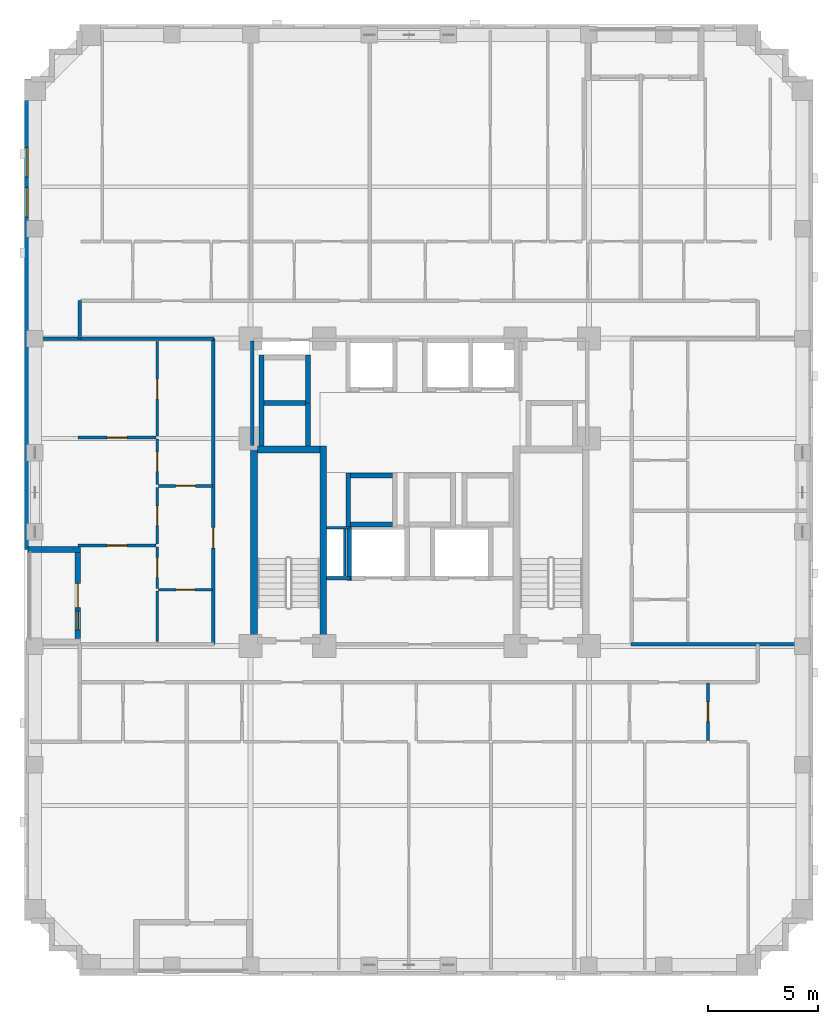
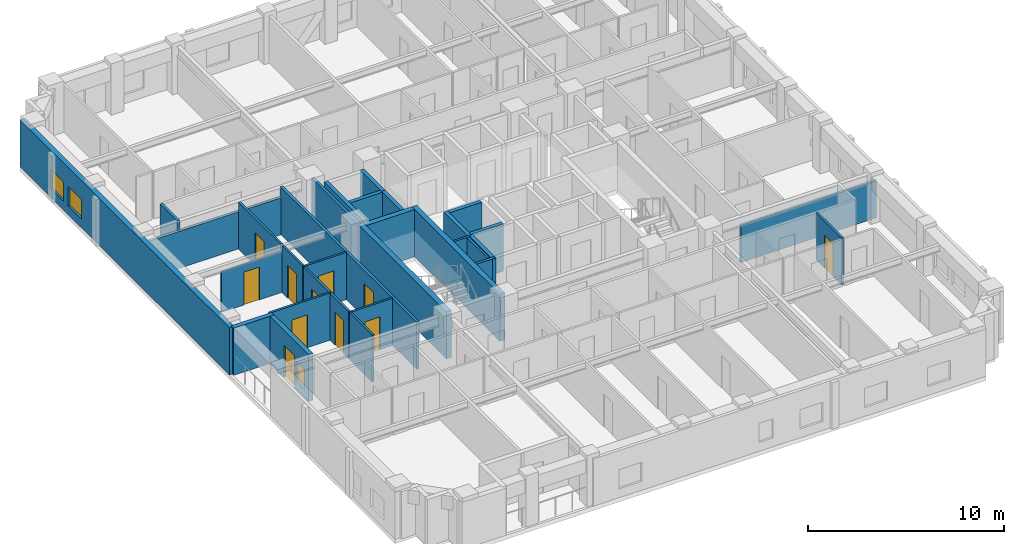
# One storey, part 4 of 12: 32 walls, 11 doors, 3 windows, 14 openings.
"""IFC4 building model written with IfcOpenShell, lengths in metres."""

from ifc_helpers import new_model, si_unit, derived_unit, direction, frame, frame_2d, origin, place, context, subcontext, project, spatial, rectangle, extrude, material, layer, layer_set, type_object, element, fill, save


model = new_model("IFC4")

# Units and contexts
model_context = context("Model", 3, precision=1e-05, world=origin(), true_north=direction((0.0, 1.0)))
body_context = subcontext(model_context, "Body", "Model", "MODEL_VIEW")
ifc_project = project(units=[si_unit("LENGTHUNIT", "METRE"), si_unit("AREAUNIT", "SQUARE_METRE"), si_unit("VOLUMEUNIT", "CUBIC_METRE"), si_unit("PLANEANGLEUNIT", "RADIAN"), si_unit("MASSUNIT", "GRAM", prefix="KILO"), derived_unit("THERMALTRANSMITTANCEUNIT", [(si_unit("MASSUNIT", "GRAM", prefix="KILO"), 1), (si_unit("TIMEUNIT", "SECOND"), -3), (si_unit("THERMODYNAMICTEMPERATUREUNIT", "KELVIN"), -1)])], contexts=[model_context])

# Site, building, storey
site_placement = place(None, origin())
site = spatial("IfcSite", under=ifc_project, at=site_placement, CompositionType="ELEMENT")
building_placement = place(site_placement, origin())
building = spatial("IfcBuilding", under=site, at=building_placement, Name="Korrvale Station Residences", CompositionType="ELEMENT")
storey_placement = place(building_placement, frame((0.0, 0.0, 103.89990234375)))
storey = spatial("IfcBuildingStorey", under=building, at=storey_placement, Name="L29", CompositionType="ELEMENT", Elevation=103.89990234375)

# Walls
ifc_material_1 = material(Name="Concrete C60/75", Category="concrete")
ifc_layer_1 = layer(ifc_material_1, 0.300048828125, Name="Concrete C60/75")
ifc_layer_set_1 = layer_set([ifc_layer_1], Name="Concrete C60/75")
wall_type_1 = type_object("IfcWallType", Name="WAL-CORE-300-C60", PredefinedType="SHEAR", material=ifc_layer_set_1)
for number, where, z_axis, x_axis, name in (
    (1, (17.949951171875, 15.10009765625, 0.0), (0.0, 0.0, 1.0), (0.0, 1.0, 0.0), "L29 ST-1 Core Shear Wall West"),
    (2, (21.10009765625, 15.10009765625, 0.0), (0.0, 0.0, 1.0), (0.0, 1.0, 0.0), "L29 ST-1 Core Shear Wall East"),
):
    element("IfcWall", number, at=place(storey_placement, frame(where, z_axis=z_axis, x_axis=x_axis)), inside=storey, type_object=wall_type_1, Name=name, PredefinedType="SHEAR", context=body_context, shape_type="SweptSolid", body=[
        extrude(rectangle(XDim=9.0, YDim=0.300048828125, at=frame_2d((4.5, 0.0))), origin(), (0.0, 0.0, 1.0), 2.940185546875),
    ])
wall_1_placement = place(storey_placement, frame((18.10009765625, 23.949951171875, 0.0), z_axis=(0.0, 0.0, 1.0), x_axis=(1.0, 0.0, 0.0)))
element("IfcWall", 3, at=wall_1_placement, inside=storey, type_object=wall_type_1, Name="L29 ST-1 Core Shear Wall North", PredefinedType="SHEAR", context=body_context, shape_type="SweptSolid", body=[
    extrude(rectangle(XDim=2.849853515625, YDim=0.300048828125, at=frame_2d((1.4248046875, 0.0))), origin(), (0.0, 0.0, 1.0), 2.940185546875),
])

# Wall, openings, door, window
ifc_material_2 = material(Name="Precast concrete C45/55", Category="concrete")
ifc_layer_2 = layer(ifc_material_2, 0.260009765625, Name="Precast concrete C45/55")
ifc_layer_set_2 = layer_set([ifc_layer_2], Name="Precast concrete C45/55")
wall_type_2 = type_object("IfcWallType", Name="WAL-EXT-LOG260", PredefinedType="SOLIDWALL", material=ifc_layer_set_2)
wall_2_placement = place(storey_placement, frame((9.929931640625, 15.333984375, 0.0), z_axis=(0.0, 0.0, 1.0), x_axis=(0.0, 1.0, 0.0)))
wall_2 = element("IfcWall", 4, at=wall_2_placement, inside=storey, type_object=wall_type_2, Name="L29 Recessed Loggia Wall BAL-L29-W1-B", PredefinedType="SOLIDWALL", context=body_context, shape_type="SweptSolid", body=[
    extrude(rectangle(XDim=3.93212890625, YDim=0.260009765625, at=frame_2d((1.966064453125, 0.0))), origin(), (0.0, 0.0, 1.0), 2.940185546875),
])
opening_1_placement = place(wall_2_placement, frame((1.416015625, 0.0, 0.0)))
opening_1 = element("IfcOpeningElement", 5, at=opening_1_placement, cuts=wall_2, Name="Opening BD-01", PredefinedType="OPENING", context=body_context, shape_type="SweptSolid", body=[
    extrude(rectangle(XDim=1.10009765625, YDim=2.0, at=frame_2d((0.550048828125, 1.0))), frame((0.0, 0.14013671875, 0.0), z_axis=(0.0, -1.0, 0.0), x_axis=(1.0, 0.0, 0.0)), (0.0, 0.0, 1.0), 0.280029296875),
])
opening_2_placement = place(wall_2_placement, frame((0.406005859375, 0.0, 0.550048828125)))
opening_2 = element("IfcOpeningElement", 6, at=opening_2_placement, cuts=wall_2, Name="Opening W-11", PredefinedType="OPENING", context=body_context, shape_type="SweptSolid", body=[
    extrude(rectangle(XDim=0.85009765625, YDim=1.199951171875, at=frame_2d((0.425048828125, 0.60009765625))), frame((0.0, 0.14013671875, 0.0), z_axis=(0.0, -1.0, 0.0), x_axis=(1.0, 0.0, 0.0)), (0.0, 0.0, 1.0), 0.280029296875),
])
ifc_material_3 = material(Name="Exterior thermally broken aluminium glazed balcony door", Category="aluminium")
door_type_1 = type_object("IfcDoorType", Name="DR-EXT-BAL", OperationType="NOTDEFINED", PredefinedType="DOOR", material=ifc_material_3)
door_1_placement = place(opening_1_placement, origin())
door_1 = element("IfcDoor", 7, at=door_1_placement, inside=storey, type_object=door_type_1, Name="L29 Loggia Balcony Door BAL-L29-W1", OperationType="SINGLE_SWING_LEFT", OverallHeight=2.0, OverallWidth=1.10009765625, PredefinedType="DOOR", context=body_context, shape_type="SweptSolid", body=[
    extrude(rectangle(XDim=1.10009765625, YDim=2.0, at=frame_2d((0.550048828125, 1.0))), frame((0.0, 0.02490234375, 0.0), z_axis=(0.0, -1.0, 0.0), x_axis=(1.0, 0.0, 0.0)), (0.0, 0.0, 1.0), 0.050048828125),
])
fill(opening_1, door_1)
ifc_material_4 = material(Name="Thermally broken aluminium frame with triple low-e glazing", Category="aluminium")
window_type_1 = type_object("IfcWindowType", Name="WIN-W11", PartitioningType="SINGLE_PANEL", PredefinedType="WINDOW", material=ifc_material_4)
window_1_placement = place(opening_2_placement, origin())
window_1 = element("IfcWindow", 8, at=window_1_placement, inside=storey, type_object=window_type_1, Name="L29 Punched Window 20", OverallHeight=1.199951171875, OverallWidth=0.85009765625, PartitioningType="SINGLE_PANEL", PredefinedType="WINDOW", context=body_context, shape_type="SweptSolid", body=[
    extrude(rectangle(XDim=0.85009765625, YDim=1.199951171875, at=frame_2d((0.425048828125, 0.60009765625))), frame((0.0, 0.030029296875, 0.0), z_axis=(0.0, -1.0, 0.0), x_axis=(1.0, 0.0, 0.0)), (0.0, 0.0, 1.0), 0.06005859375),
])
fill(opening_2, window_1)

# Wall
wall_3_placement = place(storey_placement, frame((10.06005859375, 19.39990234375, 0.0), z_axis=(0.0, 0.0, 1.0), x_axis=(-1.0, 0.0, 0.0)))
element("IfcWall", 9, at=wall_3_placement, inside=storey, type_object=wall_type_2, Name="L29 Recessed Loggia Wall BAL-L29-W1-R", PredefinedType="SOLIDWALL", context=body_context, shape_type="SweptSolid", body=[
    extrude(rectangle(XDim=2.400146484375, YDim=0.260009765625, at=frame_2d((1.2001953125, 0.0))), origin(), (0.0, 0.0, 1.0), 2.940185546875),
])

# Wall, openings, windows
ifc_layer_3 = layer(ifc_material_2, 0.300048828125, Name="Precast concrete C45/55")
ifc_layer_set_3 = layer_set([ifc_layer_3], Name="Precast concrete C45/55")
wall_type_3 = type_object("IfcWallType", Name="WAL-EXT-PC300", PredefinedType="SOLIDWALL", material=ifc_layer_set_3)
wall_4_placement = place(storey_placement, frame((7.64990234375, 19.39990234375, 0.0), z_axis=(0.0, 0.0, 1.0), x_axis=(0.0, 1.0, 0.0)))
wall_4 = element("IfcWall", 10, at=wall_4_placement, inside=storey, type_object=wall_type_3, Name="L29 West Exterior Precast Wall 2", PredefinedType="SOLIDWALL", context=body_context, shape_type="SweptSolid", body=[
    extrude(rectangle(XDim=21.400146484375, YDim=0.300048828125, at=frame_2d((10.7001953125, 0.0))), origin(), (0.0, 0.0, 1.0), 2.940185546875),
])
opening_3_placement = place(wall_4_placement, frame((16.95703125, 0.0, 0.550048828125)))
opening_3 = element("IfcOpeningElement", 11, at=opening_3_placement, cuts=wall_4, Name="Opening W-10", PredefinedType="OPENING", context=body_context, shape_type="SweptSolid", body=[
    extrude(rectangle(XDim=1.35009765625, YDim=1.199951171875, at=frame_2d((0.675048828125, 0.60009765625))), frame((0.0, 0.16015625, 0.0), z_axis=(0.0, -1.0, 0.0), x_axis=(1.0, 0.0, 0.0)), (0.0, 0.0, 1.0), 0.320068359375),
])
opening_4_placement = place(wall_4_placement, frame((15.135009765625, 0.0, 0.550048828125)))
opening_4 = element("IfcOpeningElement", 12, at=opening_4_placement, cuts=wall_4, Name="Opening W-10", PredefinedType="OPENING", context=body_context, shape_type="SweptSolid", body=[
    extrude(rectangle(XDim=1.35009765625, YDim=1.199951171875, at=frame_2d((0.675048828125, 0.60009765625))), frame((0.0, 0.16015625, 0.0), z_axis=(0.0, -1.0, 0.0), x_axis=(1.0, 0.0, 0.0)), (0.0, 0.0, 1.0), 0.320068359375),
])
window_type_2 = type_object("IfcWindowType", Name="WIN-W10", PartitioningType="SINGLE_PANEL", PredefinedType="WINDOW", material=ifc_material_4)
window_2_placement = place(opening_3_placement, origin())
window_2 = element("IfcWindow", 13, at=window_2_placement, inside=storey, type_object=window_type_2, Name="L29 Punched Window 10", OverallHeight=1.199951171875, OverallWidth=1.35009765625, PartitioningType="SINGLE_PANEL", PredefinedType="WINDOW", context=body_context, shape_type="SweptSolid", body=[
    extrude(rectangle(XDim=1.35009765625, YDim=1.199951171875, at=frame_2d((0.675048828125, 0.60009765625))), frame((0.0, 0.030029296875, 0.0), z_axis=(0.0, -1.0, 0.0), x_axis=(1.0, 0.0, 0.0)), (0.0, 0.0, 1.0), 0.06005859375),
])
fill(opening_3, window_2)
window_3_placement = place(opening_4_placement, origin())
window_3 = element("IfcWindow", 14, at=window_3_placement, inside=storey, type_object=window_type_2, Name="L29 Punched Window 11", OverallHeight=1.199951171875, OverallWidth=1.35009765625, PartitioningType="SINGLE_PANEL", PredefinedType="WINDOW", context=body_context, shape_type="SweptSolid", body=[
    extrude(rectangle(XDim=1.35009765625, YDim=1.199951171875, at=frame_2d((0.675048828125, 0.60009765625))), frame((0.0, 0.030029296875, 0.0), z_axis=(0.0, -1.0, 0.0), x_axis=(1.0, 0.0, 0.0)), (0.0, 0.0, 1.0), 0.06005859375),
])
fill(opening_4, window_3)

# Walls
ifc_material_5 = material(Name="Acoustic steel-stud gypsum board partition", Category="steel")
ifc_layer_4 = layer(ifc_material_5, 0.1201171875, Name="Acoustic steel-stud gypsum board partition")
ifc_layer_set_4 = layer_set([ifc_layer_4], Name="Acoustic steel-stud gypsum board partition")
wall_type_4 = type_object("IfcWallType", Name="WAL-PART-125", PredefinedType="PARTITIONING", material=ifc_layer_set_4)
wall_5_placement = place(storey_placement, frame((22.080078125, 18.199951171875, 0.0), z_axis=(0.0, 0.0, 1.0), x_axis=(0.0, 1.0, 0.0)))
element("IfcWall", 15, at=wall_5_placement, inside=storey, type_object=wall_type_4, Name="L29 Core Partition CW-RSWT", PredefinedType="PARTITIONING", context=body_context, shape_type="SweptSolid", body=[
    extrude(rectangle(XDim=2.1201171875, YDim=0.1201171875, at=frame_2d((1.06005859375, 0.0))), origin(), (0.0, 0.0, 1.0), 2.940185546875),
])
wall_6_placement = place(storey_placement, frame((22.280029296875, 20.3798828125, 0.0), z_axis=(0.0, 0.0, 1.0), x_axis=(-1.0, 0.0, 0.0)))
element("IfcWall", 16, at=wall_6_placement, inside=storey, type_object=wall_type_4, Name="L29 Core Partition CW-RSWT-N", PredefinedType="PARTITIONING", context=body_context, shape_type="SweptSolid", body=[
    extrude(rectangle(XDim=1.02001953125, YDim=0.1201171875, at=frame_2d((0.510009765625, 0.0))), origin(), (0.0, 0.0, 1.0), 2.940185546875),
])

# Wall, opening, door
wall_7_placement = place(storey_placement, frame((38.615966796875, 10.7099609375, 0.0), z_axis=(0.0, 0.0, 1.0), x_axis=(0.0, 1.0, 0.0)))
wall_7 = element("IfcWall", 17, at=wall_7_placement, inside=storey, type_object=wall_type_4, Name="L29 Suite Partition U03-V12", PredefinedType="PARTITIONING", context=body_context, shape_type="SweptSolid", body=[
    extrude(rectangle(XDim=2.60009765625, YDim=0.1201171875, at=frame_2d((1.300048828125, 0.0))), origin(), (0.0, 0.0, 1.0), 2.940185546875),
])
opening_5_placement = place(wall_7_placement, frame((0.85009765625, 0.0, 0.0)))
opening_5 = element("IfcOpeningElement", 18, at=opening_5_placement, cuts=wall_7, Name="Opening DI-900", PredefinedType="OPENING", context=body_context, shape_type="SweptSolid", body=[
    extrude(rectangle(XDim=0.89990234375, YDim=2.050048828125, at=frame_2d((0.449951171875, 1.02490234375))), frame((0.0, 0.070068359375, 0.0), z_axis=(0.0, -1.0, 0.0), x_axis=(1.0, 0.0, 0.0)), (0.0, 0.0, 1.0), 0.14013671875),
])
ifc_material_6 = material(Name="Painted solid-core timber interior room door", Category="wood")
door_type_2 = type_object("IfcDoorType", Name="DR-INT-900", OperationType="NOTDEFINED", PredefinedType="DOOR", material=ifc_material_6)
door_2_placement = place(opening_5_placement, origin())
door_2 = element("IfcDoor", 19, at=door_2_placement, inside=storey, type_object=door_type_2, Name="L29 Studio Apartment L29-U03 Kitchen Door", OperationType="SINGLE_SWING_LEFT", OverallHeight=2.050048828125, OverallWidth=0.89990234375, PredefinedType="DOOR", context=body_context, shape_type="SweptSolid", body=[
    extrude(rectangle(XDim=0.89990234375, YDim=2.050048828125, at=frame_2d((0.449951171875, 1.02490234375))), frame((0.0, 0.02490234375, 0.0), z_axis=(0.0, -1.0, 0.0), x_axis=(1.0, 0.0, 0.0)), (0.0, 0.0, 1.0), 0.050048828125),
])
fill(opening_5, door_2)

wall_8_placement = place(storey_placement, frame((13.610107421875, 22.2900390625, 0.0), z_axis=(0.0, 0.0, 1.0), x_axis=(1.0, 0.0, 0.0)))
wall_8 = element("IfcWall", 20, at=wall_8_placement, inside=storey, type_object=wall_type_4, Name="L29 Suite Partition U08-H02", PredefinedType="PARTITIONING", context=body_context, shape_type="SweptSolid", body=[
    extrude(rectangle(XDim=2.449951171875, YDim=0.1201171875, at=frame_2d((1.22509765625, 0.0))), origin(), (0.0, 0.0, 1.0), 2.940185546875),
])
opening_6_placement = place(wall_8_placement, frame((0.77490234375, 0.0, 0.0)))
opening_6 = element("IfcOpeningElement", 21, at=opening_6_placement, cuts=wall_8, Name="Opening DI-900", PredefinedType="OPENING", context=body_context, shape_type="SweptSolid", body=[
    extrude(rectangle(XDim=0.89990234375, YDim=2.050048828125, at=frame_2d((0.449951171875, 1.02490234375))), frame((0.0, 0.070068359375, 0.0), z_axis=(0.0, -1.0, 0.0), x_axis=(1.0, 0.0, 0.0)), (0.0, 0.0, 1.0), 0.14013671875),
])
door_3_placement = place(opening_6_placement, origin())
door_3 = element("IfcDoor", 22, at=door_3_placement, inside=storey, type_object=door_type_2, Name="L29 Apartment 2BR L29-U08 Wardrobe Storage Room Door", OperationType="SINGLE_SWING_LEFT", OverallHeight=2.050048828125, OverallWidth=0.89990234375, PredefinedType="DOOR", context=body_context, shape_type="SweptSolid", body=[
    extrude(rectangle(XDim=0.89990234375, YDim=2.050048828125, at=frame_2d((0.449951171875, 1.02490234375))), frame((0.0, 0.02490234375, 0.0), z_axis=(0.0, -1.0, 0.0), x_axis=(1.0, 0.0, 0.0)), (0.0, 0.0, 1.0), 0.050048828125),
])
fill(opening_6, door_3)

wall_9_placement = place(storey_placement, frame((13.550048828125, 22.35009765625, 0.0), z_axis=(0.0, 0.0, 1.0), x_axis=(0.0, 1.0, 0.0)))
wall_9 = element("IfcWall", 23, at=wall_9_placement, inside=storey, type_object=wall_type_4, Name="L29 Suite Partition U08-V04", PredefinedType="PARTITIONING", context=body_context, shape_type="SweptSolid", body=[
    extrude(rectangle(XDim=2.081787109375, YDim=0.1201171875, at=frame_2d((1.041015625, 0.0))), origin(), (0.0, 0.0, 1.0), 2.940185546875),
])
opening_7_placement = place(wall_9_placement, frame((0.591064453125, 0.0, 0.0)))
opening_7 = element("IfcOpeningElement", 24, at=opening_7_placement, cuts=wall_9, Name="Opening DI-900", PredefinedType="OPENING", context=body_context, shape_type="SweptSolid", body=[
    extrude(rectangle(XDim=0.89990234375, YDim=2.050048828125, at=frame_2d((0.449951171875, 1.02490234375))), frame((0.0, 0.070068359375, 0.0), z_axis=(0.0, -1.0, 0.0), x_axis=(1.0, 0.0, 0.0)), (0.0, 0.0, 1.0), 0.14013671875),
])
door_4_placement = place(opening_7_placement, origin())
door_4 = element("IfcDoor", 25, at=door_4_placement, inside=storey, type_object=door_type_2, Name="L29 Apartment 2BR L29-U08 Wardrobe Storage Room Door", OperationType="SINGLE_SWING_RIGHT", OverallHeight=2.050048828125, OverallWidth=0.89990234375, PredefinedType="DOOR", context=body_context, shape_type="SweptSolid", body=[
    extrude(rectangle(XDim=0.89990234375, YDim=2.050048828125, at=frame_2d((0.449951171875, 1.02490234375))), frame((0.0, 0.02490234375, 0.0), z_axis=(0.0, -1.0, 0.0), x_axis=(1.0, 0.0, 0.0)), (0.0, 0.0, 1.0), 0.050048828125),
])
fill(opening_7, door_4)

wall_10_placement = place(storey_placement, frame((13.550048828125, 24.552001953125, 0.0), z_axis=(0.0, 0.0, 1.0), x_axis=(0.0, 1.0, 0.0)))
wall_10 = element("IfcWall", 26, at=wall_10_placement, inside=storey, type_object=wall_type_4, Name="L29 Suite Partition U08-V05", PredefinedType="PARTITIONING", context=body_context, shape_type="SweptSolid", body=[
    extrude(rectangle(XDim=4.30810546875, YDim=0.1201171875, at=frame_2d((2.154052734375, 0.0))), origin(), (0.0, 0.0, 1.0), 2.940185546875),
])
opening_8_placement = place(wall_10_placement, frame((1.7041015625, 0.0, 0.0)))
opening_8 = element("IfcOpeningElement", 27, at=opening_8_placement, cuts=wall_10, Name="Opening DI-900", PredefinedType="OPENING", context=body_context, shape_type="SweptSolid", body=[
    extrude(rectangle(XDim=0.89990234375, YDim=2.050048828125, at=frame_2d((0.449951171875, 1.02490234375))), frame((0.0, 0.070068359375, 0.0), z_axis=(0.0, -1.0, 0.0), x_axis=(1.0, 0.0, 0.0)), (0.0, 0.0, 1.0), 0.14013671875),
])
door_5_placement = place(opening_8_placement, origin())
door_5 = element("IfcDoor", 28, at=door_5_placement, inside=storey, type_object=door_type_2, Name="L29 Apartment 2BR L29-U08 Wardrobe Storage Room Door", OperationType="SINGLE_SWING_LEFT", OverallHeight=2.050048828125, OverallWidth=0.89990234375, PredefinedType="DOOR", context=body_context, shape_type="SweptSolid", body=[
    extrude(rectangle(XDim=0.89990234375, YDim=2.050048828125, at=frame_2d((0.449951171875, 1.02490234375))), frame((0.0, 0.02490234375, 0.0), z_axis=(0.0, -1.0, 0.0), x_axis=(1.0, 0.0, 0.0)), (0.0, 0.0, 1.0), 0.050048828125),
])
fill(opening_8, door_5)

wall_11_placement = place(storey_placement, frame((13.610107421875, 17.570068359375, 0.0), z_axis=(0.0, 0.0, 1.0), x_axis=(1.0, 0.0, 0.0)))
wall_11 = element("IfcWall", 29, at=wall_11_placement, inside=storey, type_object=wall_type_4, Name="L29 Suite Partition U08-H12", PredefinedType="PARTITIONING", context=body_context, shape_type="SweptSolid", body=[
    extrude(rectangle(XDim=2.449951171875, YDim=0.1201171875, at=frame_2d((1.22509765625, 0.0))), origin(), (0.0, 0.0, 1.0), 2.940185546875),
])
opening_9_placement = place(wall_11_placement, frame((0.794921875, 0.0, 0.0)))
opening_9 = element("IfcOpeningElement", 30, at=opening_9_placement, cuts=wall_11, Name="Opening DB-860", PredefinedType="OPENING", context=body_context, shape_type="SweptSolid", body=[
    extrude(rectangle(XDim=0.860107421875, YDim=2.050048828125, at=frame_2d((0.43017578125, 1.02490234375))), frame((0.0, 0.070068359375, 0.0), z_axis=(0.0, -1.0, 0.0), x_axis=(1.0, 0.0, 0.0)), (0.0, 0.0, 1.0), 0.14013671875),
])
ifc_material_7 = material(Name="Moisture-resistant solid-core bathroom door", Category="timber")
door_type_3 = type_object("IfcDoorType", Name="DR-BATH-860", OperationType="NOTDEFINED", PredefinedType="DOOR", material=ifc_material_7)
door_6_placement = place(opening_9_placement, origin())
door_6 = element("IfcDoor", 31, at=door_6_placement, inside=storey, type_object=door_type_3, Name="L29 Apartment 2BR L29-U08 Bathroom Door", OperationType="SINGLE_SWING_RIGHT", OverallHeight=2.050048828125, OverallWidth=0.860107421875, PredefinedType="DOOR", context=body_context, shape_type="SweptSolid", body=[
    extrude(rectangle(XDim=0.860107421875, YDim=2.050048828125, at=frame_2d((0.43017578125, 1.02490234375))), frame((0.0, 0.02490234375, 0.0), z_axis=(0.0, -1.0, 0.0), x_axis=(1.0, 0.0, 0.0)), (0.0, 0.0, 1.0), 0.050048828125),
])
fill(opening_9, door_6)

# Wall
wall_12_placement = place(storey_placement, frame((13.550048828125, 15.2099609375, 0.0), z_axis=(0.0, 0.0, 1.0), x_axis=(0.0, 1.0, 0.0)))
element("IfcWall", 32, at=wall_12_placement, inside=storey, type_object=wall_type_4, Name="L29 Suite Partition U08-V13", PredefinedType="PARTITIONING", context=body_context, shape_type="SweptSolid", body=[
    extrude(rectangle(XDim=2.300048828125, YDim=0.1201171875, at=frame_2d((1.14990234375, 0.0))), origin(), (0.0, 0.0, 1.0), 2.940185546875),
])

# Wall, opening, door
wall_13_placement = place(storey_placement, frame((13.550048828125, 17.6298828125, 0.0), z_axis=(0.0, 0.0, 1.0), x_axis=(0.0, 1.0, 0.0)))
wall_13 = element("IfcWall", 33, at=wall_13_placement, inside=storey, type_object=wall_type_4, Name="L29 Suite Partition U08-V23", PredefinedType="PARTITIONING", context=body_context, shape_type="SweptSolid", body=[
    extrude(rectangle(XDim=1.88818359375, YDim=0.1201171875, at=frame_2d((0.944091796875, 0.0))), origin(), (0.0, 0.0, 1.0), 2.940185546875),
])
opening_10_placement = place(wall_13_placement, frame((0.493896484375, 0.0, 0.0)))
opening_10 = element("IfcOpeningElement", 34, at=opening_10_placement, cuts=wall_13, Name="Opening DI-900", PredefinedType="OPENING", context=body_context, shape_type="SweptSolid", body=[
    extrude(rectangle(XDim=0.89990234375, YDim=2.050048828125, at=frame_2d((0.449951171875, 1.02490234375))), frame((0.0, 0.070068359375, 0.0), z_axis=(0.0, -1.0, 0.0), x_axis=(1.0, 0.0, 0.0)), (0.0, 0.0, 1.0), 0.14013671875),
])
door_7_placement = place(opening_10_placement, origin())
door_7 = element("IfcDoor", 35, at=door_7_placement, inside=storey, type_object=door_type_2, Name="L29 Apartment 2BR L29-U08 Kitchen Door", OperationType="SINGLE_SWING_LEFT", OverallHeight=2.050048828125, OverallWidth=0.89990234375, PredefinedType="DOOR", context=body_context, shape_type="SweptSolid", body=[
    extrude(rectangle(XDim=0.89990234375, YDim=2.050048828125, at=frame_2d((0.449951171875, 1.02490234375))), frame((0.0, 0.02490234375, 0.0), z_axis=(0.0, -1.0, 0.0), x_axis=(1.0, 0.0, 0.0)), (0.0, 0.0, 1.0), 0.050048828125),
])
fill(opening_10, door_7)

wall_14_placement = place(storey_placement, frame((13.550048828125, 19.637939453125, 0.0), z_axis=(0.0, 0.0, 1.0), x_axis=(0.0, 1.0, 0.0)))
wall_14 = element("IfcWall", 36, at=wall_14_placement, inside=storey, type_object=wall_type_4, Name="L29 Suite Partition U08-V24", PredefinedType="PARTITIONING", context=body_context, shape_type="SweptSolid", body=[
    extrude(rectangle(XDim=2.592041015625, YDim=0.1201171875, at=frame_2d((1.2958984375, 0.0))), origin(), (0.0, 0.0, 1.0), 2.940185546875),
])
opening_11_placement = place(wall_14_placement, frame((0.845947265625, 0.0, 0.0)))
opening_11 = element("IfcOpeningElement", 37, at=opening_11_placement, cuts=wall_14, Name="Opening DI-900", PredefinedType="OPENING", context=body_context, shape_type="SweptSolid", body=[
    extrude(rectangle(XDim=0.89990234375, YDim=2.050048828125, at=frame_2d((0.449951171875, 1.02490234375))), frame((0.0, 0.070068359375, 0.0), z_axis=(0.0, -1.0, 0.0), x_axis=(1.0, 0.0, 0.0)), (0.0, 0.0, 1.0), 0.14013671875),
])
door_8_placement = place(opening_11_placement, origin())
door_8 = element("IfcDoor", 38, at=door_8_placement, inside=storey, type_object=door_type_2, Name="L29 Apartment 2BR L29-U08 Kitchen Door", OperationType="SINGLE_SWING_RIGHT", OverallHeight=2.050048828125, OverallWidth=0.89990234375, PredefinedType="DOOR", context=body_context, shape_type="SweptSolid", body=[
    extrude(rectangle(XDim=0.89990234375, YDim=2.050048828125, at=frame_2d((0.449951171875, 1.02490234375))), frame((0.0, 0.02490234375, 0.0), z_axis=(0.0, -1.0, 0.0), x_axis=(1.0, 0.0, 0.0)), (0.0, 0.0, 1.0), 0.050048828125),
])
fill(opening_11, door_8)

wall_15_placement = place(storey_placement, frame((9.929931640625, 19.577880859375, 0.0), z_axis=(0.0, 0.0, 1.0), x_axis=(1.0, 0.0, 0.0)))
wall_15 = element("IfcWall", 39, at=wall_15_placement, inside=storey, type_object=wall_type_4, Name="L29 Suite Partition U08-H34", PredefinedType="PARTITIONING", context=body_context, shape_type="SweptSolid", body=[
    extrude(rectangle(XDim=3.56005859375, YDim=0.1201171875, at=frame_2d((1.780029296875, 0.0))), origin(), (0.0, 0.0, 1.0), 2.940185546875),
])
opening_12_placement = place(wall_15_placement, frame((1.330078125, 0.0, 0.0)))
opening_12 = element("IfcOpeningElement", 40, at=opening_12_placement, cuts=wall_15, Name="Opening DI-900", PredefinedType="OPENING", context=body_context, shape_type="SweptSolid", body=[
    extrude(rectangle(XDim=0.89990234375, YDim=2.050048828125, at=frame_2d((0.449951171875, 1.02490234375))), frame((0.0, 0.070068359375, 0.0), z_axis=(0.0, -1.0, 0.0), x_axis=(1.0, 0.0, 0.0)), (0.0, 0.0, 1.0), 0.14013671875),
])
door_9_placement = place(opening_12_placement, origin())
door_9 = element("IfcDoor", 41, at=door_9_placement, inside=storey, type_object=door_type_2, Name="L29 Apartment 2BR L29-U08 Bedroom 1 Door", OperationType="SINGLE_SWING_LEFT", OverallHeight=2.050048828125, OverallWidth=0.89990234375, PredefinedType="DOOR", context=body_context, shape_type="SweptSolid", body=[
    extrude(rectangle(XDim=0.89990234375, YDim=2.050048828125, at=frame_2d((0.449951171875, 1.02490234375))), frame((0.0, 0.02490234375, 0.0), z_axis=(0.0, -1.0, 0.0), x_axis=(1.0, 0.0, 0.0)), (0.0, 0.0, 1.0), 0.050048828125),
])
fill(opening_12, door_9)

wall_16_placement = place(storey_placement, frame((9.929931640625, 24.491943359375, 0.0), z_axis=(0.0, 0.0, 1.0), x_axis=(1.0, 0.0, 0.0)))
wall_16 = element("IfcWall", 42, at=wall_16_placement, inside=storey, type_object=wall_type_4, Name="L29 Suite Partition U08-H45", PredefinedType="PARTITIONING", context=body_context, shape_type="SweptSolid", body=[
    extrude(rectangle(XDim=3.56005859375, YDim=0.1201171875, at=frame_2d((1.780029296875, 0.0))), origin(), (0.0, 0.0, 1.0), 2.51806640625),
])
opening_13_placement = place(wall_16_placement, frame((1.330078125, 0.0, 0.0)))
opening_13 = element("IfcOpeningElement", 43, at=opening_13_placement, cuts=wall_16, Name="Opening DI-900", PredefinedType="OPENING", context=body_context, shape_type="SweptSolid", body=[
    extrude(rectangle(XDim=0.89990234375, YDim=2.050048828125, at=frame_2d((0.449951171875, 1.02490234375))), frame((0.0, 0.070068359375, 0.0), z_axis=(0.0, -1.0, 0.0), x_axis=(1.0, 0.0, 0.0)), (0.0, 0.0, 1.0), 0.14013671875),
])
door_10_placement = place(opening_13_placement, origin())
door_10 = element("IfcDoor", 44, at=door_10_placement, inside=storey, type_object=door_type_2, Name="L29 Apartment 2BR L29-U08 Living and Dining Room Door", OperationType="SINGLE_SWING_RIGHT", OverallHeight=2.050048828125, OverallWidth=0.89990234375, PredefinedType="DOOR", context=body_context, shape_type="SweptSolid", body=[
    extrude(rectangle(XDim=0.89990234375, YDim=2.050048828125, at=frame_2d((0.449951171875, 1.02490234375))), frame((0.0, 0.02490234375, 0.0), z_axis=(0.0, -1.0, 0.0), x_axis=(1.0, 0.0, 0.0)), (0.0, 0.0, 1.0), 0.050048828125),
])
fill(opening_13, door_10)

# Walls
ifc_material_8 = material(Name="Fire-rated twin-stud gypsum and mineral wool shaftwall assembly", Category="gypsum")
ifc_layer_5 = layer(ifc_material_8, 0.159912109375, Name="Fire-rated twin-stud gypsum and mineral wool shaftwall assembly")
ifc_layer_set_5 = layer_set([ifc_layer_5], Name="Fire-rated twin-stud gypsum and mineral wool shaftwall assembly")
wall_type_5 = type_object("IfcWallType", Name="WAL-PART-200", PredefinedType="PARTITIONING", material=ifc_layer_set_5)
wall_17_placement = place(storey_placement, frame((21.25, 18.080078125, 0.0), z_axis=(0.0, 0.0, 1.0), x_axis=(1.0, 0.0, 0.0)))
element("IfcWall", 45, at=wall_17_placement, inside=storey, type_object=wall_type_5, Name="L29 Core Partition CW-FFL-N1", PredefinedType="PARTITIONING", context=body_context, shape_type="SweptSolid", body=[
    extrude(rectangle(XDim=1.10009765625, YDim=0.159912109375, at=frame_2d((0.550048828125, 0.0))), origin(), (0.0, 0.0, 1.0), 2.940185546875),
])
wall_18_placement = place(storey_placement, frame((17.8798828125, 24.1201171875, 0.0), z_axis=(0.0, 0.0, 1.0), x_axis=(0.0, 1.0, 0.0)))
element("IfcWall", 46, at=wall_18_placement, inside=storey, type_object=wall_type_5, Name="L29 Core Partition CW-W-N", PredefinedType="PARTITIONING", context=body_context, shape_type="SweptSolid", body=[
    extrude(rectangle(XDim=4.759765625, YDim=0.159912109375, at=frame_2d((2.3798828125, 0.0))), origin(), (0.0, 0.0, 1.0), 2.940185546875),
])
wall_19_placement = place(storey_placement, frame((10.02001953125, 28.97998046875, 0.0), z_axis=(0.0, 0.0, 1.0), x_axis=(0.0, 1.0, 0.0)))
element("IfcWall", 47, at=wall_19_placement, inside=storey, type_object=wall_type_5, Name="L29 Corridor North West Cap", PredefinedType="PARTITIONING", context=body_context, shape_type="SweptSolid", body=[
    extrude(rectangle(XDim=1.739990234375, YDim=0.159912109375, at=frame_2d((0.8701171875, 0.0))), origin(), (0.0, 0.0, 1.0), 2.940185546875),
])
wall_20_placement = place(storey_placement, frame((7.780029296875, 28.97998046875, 0.0), z_axis=(0.0, 0.0, 1.0), x_axis=(1.0, 0.0, 0.0)))
element("IfcWall", 48, at=wall_20_placement, inside=storey, type_object=wall_type_5, Name="L29 West Wing North Corridor Wall", PredefinedType="PARTITIONING", context=body_context, shape_type="SweptSolid", body=[
    extrude(rectangle(XDim=8.35986328125, YDim=0.159912109375, at=frame_2d((4.179931640625, 0.0))), origin(), (0.0, 0.0, 1.0), 2.31298828125),
])
wall_21_placement = place(storey_placement, frame((35.110107421875, 15.090087890625, 0.0), z_axis=(0.0, 0.0, 1.0), x_axis=(1.0, 0.0, 0.0)))
element("IfcWall", 49, at=wall_21_placement, inside=storey, type_object=wall_type_5, Name="L29 East Wing South Corridor Wall", PredefinedType="PARTITIONING", context=body_context, shape_type="SweptSolid", body=[
    extrude(rectangle(XDim=8.010009765625, YDim=0.159912109375, at=frame_2d((4.0048828125, 0.0))), origin(), (0.0, 0.0, 1.0), 2.31298828125),
])

# Wall, opening, door
wall_22_placement = place(storey_placement, frame((16.10009765625, 15.070068359375, 0.0), z_axis=(0.0, 0.0, 1.0), x_axis=(0.0, 1.0, 0.0)))
wall_22 = element("IfcWall", 50, at=wall_22_placement, inside=storey, type_object=wall_type_5, Name="L29 Rated Corridor Wall W", PredefinedType="PARTITIONING", context=body_context, shape_type="SweptSolid", body=[
    extrude(rectangle(XDim=13.929931640625, YDim=0.159912109375, at=frame_2d((6.96484375, 0.0))), origin(), (0.0, 0.0, 1.0), 2.940185546875),
])
opening_14_placement = place(wall_22_placement, frame((4.385009765625, 0.0, 0.0)))
opening_14 = element("IfcOpeningElement", 51, at=opening_14_placement, cuts=wall_22, Name="Opening UD-950", PredefinedType="OPENING", context=body_context, shape_type="SweptSolid", body=[
    extrude(rectangle(XDim=0.949951171875, YDim=2.10009765625, at=frame_2d((0.47509765625, 1.050048828125))), frame((0.0, 0.08984375, 0.0), z_axis=(0.0, -1.0, 0.0), x_axis=(1.0, 0.0, 0.0)), (0.0, 0.0, 1.0), 0.179931640625),
])
ifc_material_9 = material(Name="Solid-core acoustic oak apartment entrance door", Category="timber")
door_type_4 = type_object("IfcDoorType", Name="DR-UNIT-950", OperationType="NOTDEFINED", PredefinedType="DOOR", material=ifc_material_9)
door_11_placement = place(opening_14_placement, origin())
door_11 = element("IfcDoor", 52, at=door_11_placement, inside=storey, type_object=door_type_4, Name="L29 Apartment L29-U08 Entrance Door", OperationType="SINGLE_SWING_RIGHT", OverallHeight=2.10009765625, OverallWidth=0.949951171875, PredefinedType="DOOR", context=body_context, shape_type="SweptSolid", body=[
    extrude(rectangle(XDim=0.949951171875, YDim=2.10009765625, at=frame_2d((0.47509765625, 1.050048828125))), frame((0.0, 0.02490234375, 0.0), z_axis=(0.0, -1.0, 0.0), x_axis=(1.0, 0.0, 0.0)), (0.0, 0.0, 1.0), 0.050048828125),
])
fill(opening_14, door_11)

# Walls
ifc_layer_6 = layer(ifc_material_1, 0.219970703125, Name="Concrete C60/75")
ifc_layer_set_6 = layer_set([ifc_layer_6], Name="Concrete C60/75")
wall_type_6 = type_object("IfcWallType", Name="WAL-SHAFT-220-C60", PredefinedType="SHEAR", material=ifc_layer_set_6)
for number, where, z_axis, x_axis, name in (
    (53, (22.35009765625, 20.5400390625, 0.0), (0.0, 0.0, 1.0), (1.0, 0.0, 0.0), "L29 Elevator PM-1 Hoistway Wall South"),
    (54, (22.35009765625, 22.760009765625, 0.0), (0.0, 0.0, 1.0), (1.0, 0.0, 0.0), "L29 Elevator PM-1 Hoistway Wall North"),
):
    element("IfcWall", number, at=place(storey_placement, frame(where, z_axis=z_axis, x_axis=x_axis)), inside=storey, type_object=wall_type_6, Name=name, PredefinedType="SHEAR", context=body_context, shape_type="SweptSolid", body=[
        extrude(rectangle(XDim=1.89990234375, YDim=0.219970703125, at=frame_2d((0.949951171875, 0.0))), origin(), (0.0, 0.0, 1.0), 2.940185546875),
    ])
wall_23_placement = place(storey_placement, frame((22.239990234375, 20.429931640625, 0.0), z_axis=(0.0, 0.0, 1.0), x_axis=(0.0, 1.0, 0.0)))
element("IfcWall", 55, at=wall_23_placement, inside=storey, type_object=wall_type_6, Name="L29 Elevator PM-1 Hoistway Wall West", PredefinedType="SHEAR", context=body_context, shape_type="SweptSolid", body=[
    extrude(rectangle(XDim=2.440185546875, YDim=0.219970703125, at=frame_2d((1.22021484375, 0.0))), origin(), (0.0, 0.0, 1.0), 2.940185546875),
])
wall_24_placement = place(storey_placement, frame((18.2900390625, 24.10009765625, 0.0), z_axis=(0.0, 0.0, 1.0), x_axis=(0.0, 1.0, 0.0)))
element("IfcWall", 56, at=wall_24_placement, inside=storey, type_object=wall_type_6, Name="L29 Elevator PH-1 Hoistway Wall West", PredefinedType="SHEAR", context=body_context, shape_type="SweptSolid", body=[
    extrude(rectangle(XDim=4.139892578125, YDim=0.219970703125, at=frame_2d((2.06982421875, 0.0))), origin(), (0.0, 0.0, 1.0), 2.940185546875),
])
wall_25_placement = place(storey_placement, frame((20.409912109375, 24.10009765625, 0.0), z_axis=(0.0, 0.0, 1.0), x_axis=(0.0, 1.0, 0.0)))
element("IfcWall", 57, at=wall_25_placement, inside=storey, type_object=wall_type_6, Name="L29 Elevator PH-1 Hoistway Wall East", PredefinedType="SHEAR", context=body_context, shape_type="SweptSolid", body=[
    extrude(rectangle(XDim=1.9599609375, YDim=0.219970703125, at=frame_2d((0.97998046875, 0.0))), origin(), (0.0, 0.0, 1.0), 2.940185546875),
])
wall_26_placement = place(storey_placement, frame((18.39990234375, 26.06005859375, 0.0), z_axis=(0.0, 0.0, 1.0), x_axis=(1.0, 0.0, 0.0)))
element("IfcWall", 58, at=wall_26_placement, inside=storey, type_object=wall_type_6, Name="L29 Elevator PH-2 Hoistway Wall South", PredefinedType="SHEAR", context=body_context, shape_type="SweptSolid", body=[
    extrude(rectangle(XDim=1.900146484375, YDim=0.219970703125, at=frame_2d((0.9501953125, 0.0))), origin(), (0.0, 0.0, 1.0), 2.940185546875),
])
wall_27_placement = place(storey_placement, frame((20.409912109375, 26.06005859375, 0.0), z_axis=(0.0, 0.0, 1.0), x_axis=(0.0, 1.0, 0.0)))
element("IfcWall", 59, at=wall_27_placement, inside=storey, type_object=wall_type_6, Name="L29 Elevator PH-2 Hoistway Wall East", PredefinedType="SHEAR", context=body_context, shape_type="SweptSolid", body=[
    extrude(rectangle(XDim=2.179931640625, YDim=0.219970703125, at=frame_2d((1.08984375, 0.0))), origin(), (0.0, 0.0, 1.0), 2.940185546875),
])
wall_28_placement = place(storey_placement, frame((22.2900390625, 17.97998046875, 0.0), z_axis=(0.0, 0.0, 1.0), x_axis=(0.0, 1.0, 0.0)))
element("IfcWall", 60, at=wall_28_placement, inside=storey, type_object=wall_type_6, Name="L29 Elevator FFL-1 Hoistway Wall West", PredefinedType="SHEAR", context=body_context, shape_type="SweptSolid", body=[
    extrude(rectangle(XDim=2.5400390625, YDim=0.219970703125, at=frame_2d((1.27001953125, 0.0))), origin(), (0.0, 0.0, 1.0), 2.940185546875),
])

save(model, "model.ifc")
